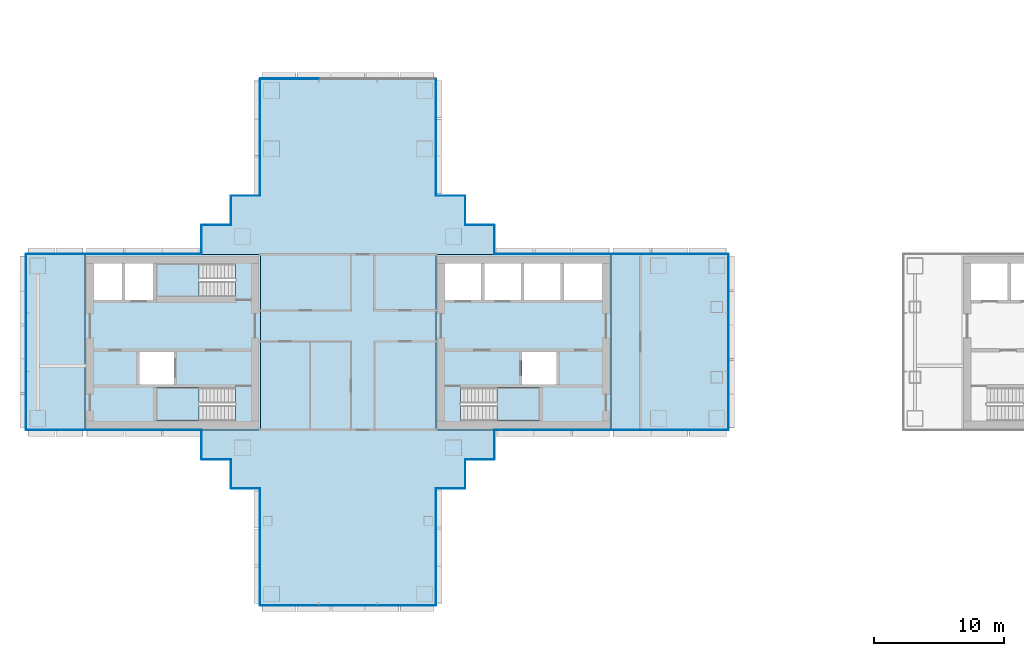
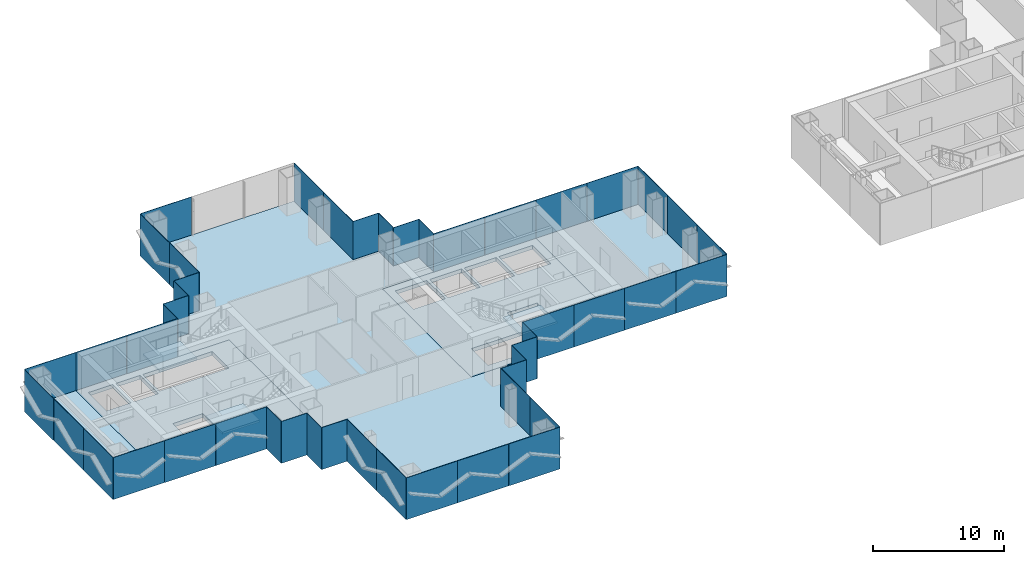
# One storey, part 9 of 18: 48 plates, 8 slabs, 23 elements without a shape of their own.
"""IFC4 building model written with IfcOpenShell, lengths in metres."""

from ifc_helpers import new_model, si_unit, direction, frame, origin, origin_2d, place, context, subcontext, project, spatial, polyline, rectangle, outline, extrude, material, layer, layer_set, type_object, element, aggregate, save


model = new_model("IFC4")

# Units and contexts
model_context = context("Model", 3, precision=1e-05, world=origin(), true_north=direction((0.0, 1.0)))
body_context = subcontext(model_context, "Body", "Model", "MODEL_VIEW")
ifc_project = project(units=[si_unit("LENGTHUNIT", "METRE"), si_unit("AREAUNIT", "SQUARE_METRE"), si_unit("VOLUMEUNIT", "CUBIC_METRE"), si_unit("PLANEANGLEUNIT", "RADIAN"), si_unit("MASSUNIT", "GRAM", prefix="KILO")], contexts=[model_context])

# Site, building, storey
site_placement = place(None, origin())
site = spatial("IfcSite", under=ifc_project, at=site_placement, CompositionType="ELEMENT")
building_placement = place(site_placement, origin())
building = spatial("IfcBuilding", under=site, at=building_placement, Name="Shamsa Quay Exchange Towers", CompositionType="ELEMENT")
storey_placement = place(building_placement, frame((0.0, 0.0, 117.0)))
storey = spatial("IfcBuildingStorey", under=building, at=storey_placement, Name="L27", CompositionType="ELEMENT", Elevation=117.0)

# Slabs
ifc_material_1 = material(Name="Concrete C50/60", Category="concrete")
ifc_layer_1 = layer(ifc_material_1, 0.35009765625)
ifc_layer_set_1 = layer_set([ifc_layer_1], Name="CORE FLOOR 350 C50/60")
slab_type_1 = type_object("IfcSlabType", Name="CORE FLOOR 350 C50/60", PredefinedType="FLOOR", material=ifc_layer_set_1)
slab_1_placement = place(storey_placement, frame((0.0, 0.0, -0.35009765625)))
element("IfcSlab", 1, at=slab_1_placement, inside=storey, type_object=slab_type_1, Name="Core floor T1A", PredefinedType="FLOOR", context=body_context, shape_type="SweptSolid", body=[
    extrude(outline(polyline([(-27.0, -6.75), (-13.5, -6.75), (-13.5, 6.75), (-27.0, 6.75), (-27.0, -6.75)]), holes=[polyline([(-25.099365234375, -6.050048828125), (-25.099365234375, -3.5), (-19.0, -3.5), (-19.0, -6.050048828125), (-25.099365234375, -6.050048828125)]), polyline([(-26.300048828125, 3.25), (-26.300048828125, 6.050048828125), (-23.5, 6.050048828125), (-23.5, 3.25), (-26.300048828125, 3.25)]), polyline([(-23.25, 3.25), (-23.25, 6.050048828125), (-20.449951171875, 6.050048828125), (-20.449951171875, 3.25), (-23.25, 3.25)]), polyline([(-20.199951171875, 3.25), (-20.199951171875, 6.050048828125), (-17.39990234375, 6.050048828125), (-17.39990234375, 3.25), (-20.199951171875, 3.25)]), polyline([(-17.14990234375, 3.25), (-17.14990234375, 6.050048828125), (-14.199951171875, 6.050048828125), (-14.199951171875, 3.25), (-17.14990234375, 3.25)]), polyline([(-20.35009765625, -3.25), (-20.35009765625, -0.75), (-17.699951171875, -0.75), (-17.699951171875, -3.25), (-20.35009765625, -3.25)])]), origin(), (0.0, 0.0, 1.0), 0.35009765625),
])
slab_2_placement = place(storey_placement, frame((0.0, 0.0, -0.35009765625)))
element("IfcSlab", 2, at=slab_2_placement, inside=storey, type_object=slab_type_1, Name="Core floor T1B", PredefinedType="FLOOR", context=body_context, shape_type="SweptSolid", body=[
    extrude(outline(polyline([(-40.5, -6.75), (-40.5, 6.75), (-54.0, 6.75), (-54.0, -6.75), (-40.5, -6.75)]), holes=[polyline([(-42.400634765625, -3.5), (-42.400634765625, -6.050048828125), (-48.5, -6.050048828125), (-48.5, -3.5), (-42.400634765625, -3.5)]), polyline([(-42.400634765625, 6.050048828125), (-42.400634765625, 3.5), (-48.5, 3.5), (-48.5, 6.050048828125), (-42.400634765625, 6.050048828125)]), polyline([(-48.75, 3.25), (-50.89990234375, 3.25), (-50.89990234375, 6.050048828125), (-48.75, 6.050048828125), (-48.75, 3.25)]), polyline([(-51.14990234375, 3.25), (-53.300048828125, 3.25), (-53.300048828125, 6.050048828125), (-51.14990234375, 6.050048828125), (-51.14990234375, 3.25)]), polyline([(-47.14990234375, -3.25), (-49.800048828125, -3.25), (-49.800048828125, -0.75), (-47.14990234375, -0.75), (-47.14990234375, -3.25)])]), origin(), (0.0, 0.0, 1.0), 0.35009765625),
])

# Stair, slab
ifc_material_2 = material(Name="Concrete C40/50", Category="concrete")
stair_type = type_object("IfcStairType", Name="EXIT STAIR 22 RISERS 177 MM", PredefinedType="HALF_TURN_STAIR", material=ifc_material_2)
stair_1_placement = place(storey_placement, origin())
stair_1 = element("IfcStair", 3, at=stair_1_placement, inside=storey, type_object=stair_type, Name="L27 Exit stair ST1", PredefinedType="HALF_TURN_STAIR")
ifc_layer_2 = layer(ifc_material_2, 0.199951171875)
ifc_layer_set_2 = layer_set([ifc_layer_2], Name="CORE STAIR LANDING")
slab_type_2 = type_object("IfcSlabType", Name="CORE STAIR LANDING", PredefinedType="LANDING", material=ifc_layer_set_2)
slab_3_placement = place(storey_placement, frame((0.0, 0.0, 1.75)))
slab_3 = element("IfcSlab", 4, at=slab_3_placement, type_object=slab_type_2, Name="ST1 landing 1", PredefinedType="LANDING", context=body_context, shape_type="SweptSolid", body=[
    extrude(outline(polyline([(-22.300048828125, -6.050048828125), (-19.0, -6.050048828125), (-19.0, -3.5), (-22.300048828125, -3.5), (-22.300048828125, -6.050048828125)])), origin(), (0.0, 0.0, 1.0), 0.199951171875),
])
aggregate(stair_1, [slab_3])

stair_2_placement = place(storey_placement, origin())
stair_2 = element("IfcStair", 5, at=stair_2_placement, inside=storey, type_object=stair_type, Name="L27 Exit stair ST2", PredefinedType="HALF_TURN_STAIR")
slab_4_placement = place(storey_placement, frame((0.0, 0.0, 1.75)))
slab_4 = element("IfcSlab", 6, at=slab_4_placement, type_object=slab_type_2, Name="ST2 landing 1", PredefinedType="LANDING", context=body_context, shape_type="SweptSolid", body=[
    extrude(outline(polyline([(-45.199951171875, -3.5), (-48.5, -3.5), (-48.5, -6.050048828125), (-45.199951171875, -6.050048828125), (-45.199951171875, -3.5)])), origin(), (0.0, 0.0, 1.0), 0.199951171875),
])
aggregate(stair_2, [slab_4])

stair_3_placement = place(storey_placement, origin())
stair_3 = element("IfcStair", 7, at=stair_3_placement, inside=storey, type_object=stair_type, Name="L27 Exit stair ST3", PredefinedType="HALF_TURN_STAIR")
slab_5_placement = place(storey_placement, frame((0.0, 0.0, 1.75)))
slab_5 = element("IfcSlab", 8, at=slab_5_placement, type_object=slab_type_2, Name="ST3 landing 1", PredefinedType="LANDING", context=body_context, shape_type="SweptSolid", body=[
    extrude(outline(polyline([(-45.199951171875, 6.050048828125), (-48.5, 6.050048828125), (-48.5, 3.5), (-45.199951171875, 3.5), (-45.199951171875, 6.050048828125)])), origin(), (0.0, 0.0, 1.0), 0.199951171875),
])
aggregate(stair_3, [slab_5])

# Curtain wall, plates
ifc_material_3 = material(Name="Aluminium EN AW-6063 T6, black anodised", Category="aluminium")
ifc_layer_3 = layer(ifc_material_3, 0.280029296875)
ifc_layer_set_3 = layer_set([ifc_layer_3], Name="CW-1 UNITISED VISION GLASS")
curtain_wall_type_1 = type_object("IfcCurtainWallType", Name="CW-1 UNITISED VISION GLASS", PredefinedType="NOTDEFINED", material=ifc_layer_set_3)
curtain_wall_1_placement = place(storey_placement, origin())
curtain_wall_1 = element("IfcCurtainWall", 9, at=curtain_wall_1_placement, inside=storey, type_object=curtain_wall_type_1, Name="CW1 T1-FLK-V-W L27", PredefinedType="NOTDEFINED")
ifc_material_4 = material(Name="Glass, laminated, dark tinted", Category="glass")
ifc_layer_4 = layer(ifc_material_4, 0.0400390625)
ifc_layer_set_4 = layer_set([ifc_layer_4], Name="CW-1 VISION GLASS 40")
plate_type_1 = type_object("IfcPlateType", Name="CW-1 VISION GLASS 40", PredefinedType="CURTAIN_PANEL", material=ifc_layer_set_4)
plate_1_placement = place(storey_placement, frame((-40.52001953125, -13.52587890625, -0.349853515625), z_axis=(0.0, 0.0, 1.0), x_axis=(0.0, -1.0, 0.0)))
plate_1 = element("IfcPlate", 10, at=plate_1_placement, type_object=plate_type_1, Name="CW1 glass panel", PredefinedType="CURTAIN_PANEL", context=body_context, shape_type="SweptSolid", body=[
    extrude(rectangle(XDim=4.47607421875, YDim=0.0400390625, at=origin_2d()), origin(), (0.0, 0.0, 1.0), 3.89990234375),
])
plate_2_placement = place(storey_placement, frame((-40.52001953125, -18.011962890625, -0.349853515625), z_axis=(0.0, 0.0, 1.0), x_axis=(0.0, -1.0, 0.0)))
plate_2 = element("IfcPlate", 11, at=plate_2_placement, type_object=plate_type_1, Name="CW1 glass panel", PredefinedType="CURTAIN_PANEL", context=body_context, shape_type="SweptSolid", body=[
    extrude(rectangle(XDim=4.47607421875, YDim=0.0400390625, at=origin_2d()), origin(), (0.0, 0.0, 1.0), 3.89990234375),
])
aggregate(curtain_wall_1, [plate_1, plate_2])

curtain_wall_2_placement = place(storey_placement, origin())
curtain_wall_2 = element("IfcCurtainWall", 12, at=curtain_wall_2_placement, inside=storey, type_object=curtain_wall_type_1, Name="CW1 T1-END-V- L27", PredefinedType="NOTDEFINED")
plate_3_placement = place(storey_placement, frame((-38.25244140625, -20.27001953125, -0.349853515625)))
plate_3 = element("IfcPlate", 13, at=plate_3_placement, type_object=plate_type_1, Name="CW1 glass panel", PredefinedType="CURTAIN_PANEL", context=body_context, shape_type="SweptSolid", body=[
    extrude(rectangle(XDim=4.4951171875, YDim=0.0400390625, at=origin_2d()), origin(), (0.0, 0.0, 1.0), 3.89990234375),
])
plate_4_placement = place(storey_placement, frame((-33.75, -20.27001953125, -0.349853515625)))
plate_4 = element("IfcPlate", 14, at=plate_4_placement, type_object=plate_type_1, Name="CW1 glass panel", PredefinedType="CURTAIN_PANEL", context=body_context, shape_type="SweptSolid", body=[
    extrude(rectangle(XDim=4.489990234375, YDim=0.0400390625, at=origin_2d()), origin(), (0.0, 0.0, 1.0), 3.89990234375),
])
plate_5_placement = place(storey_placement, frame((-29.24755859375, -20.27001953125, -0.349853515625)))
plate_5 = element("IfcPlate", 15, at=plate_5_placement, type_object=plate_type_1, Name="CW1 glass panel", PredefinedType="CURTAIN_PANEL", context=body_context, shape_type="SweptSolid", body=[
    extrude(rectangle(XDim=4.4951171875, YDim=0.0400390625, at=origin_2d()), origin(), (0.0, 0.0, 1.0), 3.89990234375),
])
aggregate(curtain_wall_2, [plate_3, plate_4, plate_5])

curtain_wall_3_placement = place(storey_placement, origin())
curtain_wall_3 = element("IfcCurtainWall", 16, at=curtain_wall_3_placement, inside=storey, type_object=curtain_wall_type_1, Name="CW1 T1-FLK-V-E L27", PredefinedType="NOTDEFINED")
plate_6_placement = place(storey_placement, frame((-26.97998046875, -18.00244140625, -0.349853515625), z_axis=(0.0, 0.0, 1.0), x_axis=(0.0, 1.0, 0.0)))
plate_6 = element("IfcPlate", 17, at=plate_6_placement, type_object=plate_type_1, Name="CW1 glass panel", PredefinedType="CURTAIN_PANEL", context=body_context, shape_type="SweptSolid", body=[
    extrude(rectangle(XDim=4.4951171875, YDim=0.0400390625, at=origin_2d()), origin(), (0.0, 0.0, 1.0), 3.89990234375),
])
plate_7_placement = place(storey_placement, frame((-26.97998046875, -13.49755859375, -0.349853515625), z_axis=(0.0, 0.0, 1.0), x_axis=(0.0, 1.0, 0.0)))
plate_7 = element("IfcPlate", 18, at=plate_7_placement, type_object=plate_type_1, Name="CW1 glass panel", PredefinedType="CURTAIN_PANEL", context=body_context, shape_type="SweptSolid", body=[
    extrude(rectangle(XDim=4.4951171875, YDim=0.0400390625, at=origin_2d()), origin(), (0.0, 0.0, 1.0), 3.89990234375),
])
aggregate(curtain_wall_3, [plate_6, plate_7])

curtain_wall_4_placement = place(storey_placement, origin())
curtain_wall_4 = element("IfcCurtainWall", 19, at=curtain_wall_4_placement, inside=storey, type_object=curtain_wall_type_1, Name="CW1 T1-FLK-U+S L27", PredefinedType="NOTDEFINED")
plate_8_placement = place(storey_placement, frame((-11.25244140625, -6.77001953125, -0.349853515625)))
plate_8 = element("IfcPlate", 20, at=plate_8_placement, type_object=plate_type_1, Name="CW1 glass panel", PredefinedType="CURTAIN_PANEL", context=body_context, shape_type="SweptSolid", body=[
    extrude(rectangle(XDim=4.4951171875, YDim=0.0400390625, at=origin_2d()), origin(), (0.0, 0.0, 1.0), 3.89990234375),
])
plate_9_placement = place(storey_placement, frame((-6.74755859375, -6.77001953125, -0.349853515625)))
plate_9 = element("IfcPlate", 21, at=plate_9_placement, type_object=plate_type_1, Name="CW1 glass panel", PredefinedType="CURTAIN_PANEL", context=body_context, shape_type="SweptSolid", body=[
    extrude(rectangle(XDim=4.4951171875, YDim=0.0400390625, at=origin_2d()), origin(), (0.0, 0.0, 1.0), 3.89990234375),
])
aggregate(curtain_wall_4, [plate_8, plate_9])

curtain_wall_5_placement = place(storey_placement, origin())
curtain_wall_5 = element("IfcCurtainWall", 22, at=curtain_wall_5_placement, inside=storey, type_object=curtain_wall_type_1, Name="CW1 T1-END-U+ L27", PredefinedType="NOTDEFINED")
plate_10_placement = place(storey_placement, frame((-4.47998046875, -4.50244140625, -0.349853515625), z_axis=(0.0, 0.0, 1.0), x_axis=(0.0, 1.0, 0.0)))
plate_10 = element("IfcPlate", 23, at=plate_10_placement, type_object=plate_type_1, Name="CW1 glass panel", PredefinedType="CURTAIN_PANEL", context=body_context, shape_type="SweptSolid", body=[
    extrude(rectangle(XDim=4.4951171875, YDim=0.0400390625, at=origin_2d()), origin(), (0.0, 0.0, 1.0), 3.89990234375),
])
plate_11_placement = place(storey_placement, frame((-4.47998046875, 0.0, -0.349853515625), z_axis=(0.0, 0.0, 1.0), x_axis=(0.0, 1.0, 0.0)))
plate_11 = element("IfcPlate", 24, at=plate_11_placement, type_object=plate_type_1, Name="CW1 glass panel", PredefinedType="CURTAIN_PANEL", context=body_context, shape_type="SweptSolid", body=[
    extrude(rectangle(XDim=4.489990234375, YDim=0.0400390625, at=origin_2d()), origin(), (0.0, 0.0, 1.0), 3.89990234375),
])
plate_12_placement = place(storey_placement, frame((-4.47998046875, 4.50244140625, -0.349853515625), z_axis=(0.0, 0.0, 1.0), x_axis=(0.0, 1.0, 0.0)))
plate_12 = element("IfcPlate", 25, at=plate_12_placement, type_object=plate_type_1, Name="CW1 glass panel", PredefinedType="CURTAIN_PANEL", context=body_context, shape_type="SweptSolid", body=[
    extrude(rectangle(XDim=4.4951171875, YDim=0.0400390625, at=origin_2d()), origin(), (0.0, 0.0, 1.0), 3.89990234375),
])
aggregate(curtain_wall_5, [plate_10, plate_11, plate_12])

curtain_wall_6_placement = place(storey_placement, origin())
curtain_wall_6 = element("IfcCurtainWall", 26, at=curtain_wall_6_placement, inside=storey, type_object=curtain_wall_type_1, Name="CW1 T1-FLK-U+N L27", PredefinedType="NOTDEFINED")
plate_13_placement = place(storey_placement, frame((-6.74755859375, 6.77001953125, -0.349853515625), z_axis=(0.0, 0.0, 1.0), x_axis=(-1.0, 0.0, 0.0)))
plate_13 = element("IfcPlate", 27, at=plate_13_placement, type_object=plate_type_1, Name="CW1 glass panel", PredefinedType="CURTAIN_PANEL", context=body_context, shape_type="SweptSolid", body=[
    extrude(rectangle(XDim=4.4951171875, YDim=0.0400390625, at=origin_2d()), origin(), (0.0, 0.0, 1.0), 3.89990234375),
])
plate_14_placement = place(storey_placement, frame((-11.25244140625, 6.77001953125, -0.349853515625), z_axis=(0.0, 0.0, 1.0), x_axis=(-1.0, 0.0, 0.0)))
plate_14 = element("IfcPlate", 28, at=plate_14_placement, type_object=plate_type_1, Name="CW1 glass panel", PredefinedType="CURTAIN_PANEL", context=body_context, shape_type="SweptSolid", body=[
    extrude(rectangle(XDim=4.4951171875, YDim=0.0400390625, at=origin_2d()), origin(), (0.0, 0.0, 1.0), 3.89990234375),
])
aggregate(curtain_wall_6, [plate_13, plate_14])

curtain_wall_7_placement = place(storey_placement, origin())
curtain_wall_7 = element("IfcCurtainWall", 29, at=curtain_wall_7_placement, inside=storey, type_object=curtain_wall_type_1, Name="CW1 T1-FLK-V+E L27", PredefinedType="NOTDEFINED")
plate_15_placement = place(storey_placement, frame((-26.97998046875, 13.52587890625, -0.349853515625), z_axis=(0.0, 0.0, 1.0), x_axis=(0.0, 1.0, 0.0)))
plate_15 = element("IfcPlate", 30, at=plate_15_placement, type_object=plate_type_1, Name="CW1 glass panel", PredefinedType="CURTAIN_PANEL", context=body_context, shape_type="SweptSolid", body=[
    extrude(rectangle(XDim=4.47607421875, YDim=0.0400390625, at=origin_2d()), origin(), (0.0, 0.0, 1.0), 3.89990234375),
])
plate_16_placement = place(storey_placement, frame((-26.97998046875, 18.011962890625, -0.349853515625), z_axis=(0.0, 0.0, 1.0), x_axis=(0.0, 1.0, 0.0)))
plate_16 = element("IfcPlate", 31, at=plate_16_placement, type_object=plate_type_1, Name="CW1 glass panel", PredefinedType="CURTAIN_PANEL", context=body_context, shape_type="SweptSolid", body=[
    extrude(rectangle(XDim=4.47607421875, YDim=0.0400390625, at=origin_2d()), origin(), (0.0, 0.0, 1.0), 3.89990234375),
])
aggregate(curtain_wall_7, [plate_15, plate_16])

# Curtain wall, plate
curtain_wall_8_placement = place(storey_placement, origin())
curtain_wall_8 = element("IfcCurtainWall", 32, at=curtain_wall_8_placement, inside=storey, type_object=curtain_wall_type_1, Name="CW1 T1-END-V+ L27", PredefinedType="NOTDEFINED")
plate_17_placement = place(storey_placement, frame((-38.25244140625, 20.27001953125, -0.349853515625), z_axis=(0.0, 0.0, 1.0), x_axis=(-1.0, 0.0, 0.0)))
plate_17 = element("IfcPlate", 33, at=plate_17_placement, type_object=plate_type_1, Name="CW1 glass panel", PredefinedType="CURTAIN_PANEL", context=body_context, shape_type="SweptSolid", body=[
    extrude(rectangle(XDim=4.4951171875, YDim=0.0400390625, at=origin_2d()), origin(), (0.0, 0.0, 1.0), 3.89990234375),
])
aggregate(curtain_wall_8, [plate_17])

# Curtain wall, plates
curtain_wall_9_placement = place(storey_placement, origin())
curtain_wall_9 = element("IfcCurtainWall", 34, at=curtain_wall_9_placement, inside=storey, type_object=curtain_wall_type_1, Name="CW1 T1-FLK-V+W L27", PredefinedType="NOTDEFINED")
plate_18_placement = place(storey_placement, frame((-40.52001953125, 18.00244140625, -0.349853515625), z_axis=(0.0, 0.0, 1.0), x_axis=(0.0, -1.0, 0.0)))
plate_18 = element("IfcPlate", 35, at=plate_18_placement, type_object=plate_type_1, Name="CW1 glass panel", PredefinedType="CURTAIN_PANEL", context=body_context, shape_type="SweptSolid", body=[
    extrude(rectangle(XDim=4.4951171875, YDim=0.0400390625, at=origin_2d()), origin(), (0.0, 0.0, 1.0), 3.89990234375),
])
plate_19_placement = place(storey_placement, frame((-40.52001953125, 13.49755859375, -0.349853515625), z_axis=(0.0, 0.0, 1.0), x_axis=(0.0, -1.0, 0.0)))
plate_19 = element("IfcPlate", 36, at=plate_19_placement, type_object=plate_type_1, Name="CW1 glass panel", PredefinedType="CURTAIN_PANEL", context=body_context, shape_type="SweptSolid", body=[
    extrude(rectangle(XDim=4.4951171875, YDim=0.0400390625, at=origin_2d()), origin(), (0.0, 0.0, 1.0), 3.89990234375),
])
aggregate(curtain_wall_9, [plate_18, plate_19])

# Curtain wall, plate
curtain_wall_10_placement = place(storey_placement, origin())
curtain_wall_10 = element("IfcCurtainWall", 37, at=curtain_wall_10_placement, inside=storey, type_object=curtain_wall_type_1, Name="CW1 T1-FLK-U-N L27", PredefinedType="NOTDEFINED")
plate_20_placement = place(storey_placement, frame((-56.25, 6.77001953125, -0.349853515625), z_axis=(0.0, 0.0, 1.0), x_axis=(-1.0, 0.0, 0.0)))
plate_20 = element("IfcPlate", 38, at=plate_20_placement, type_object=plate_type_1, Name="CW1 glass panel", PredefinedType="CURTAIN_PANEL", context=body_context, shape_type="SweptSolid", body=[
    extrude(rectangle(XDim=4.5, YDim=0.0400390625, at=origin_2d()), origin(), (0.0, 0.0, 1.0), 3.89990234375),
])
aggregate(curtain_wall_10, [plate_20])

# Curtain wall, plates
curtain_wall_11_placement = place(storey_placement, origin())
curtain_wall_11 = element("IfcCurtainWall", 39, at=curtain_wall_11_placement, inside=storey, type_object=curtain_wall_type_1, Name="CW1 T1-END-U- L27", PredefinedType="NOTDEFINED")
plate_21_placement = place(storey_placement, frame((-58.52001953125, 4.50244140625, -0.349853515625), z_axis=(0.0, 0.0, 1.0), x_axis=(0.0, -1.0, 0.0)))
plate_21 = element("IfcPlate", 40, at=plate_21_placement, type_object=plate_type_1, Name="CW1 glass panel", PredefinedType="CURTAIN_PANEL", context=body_context, shape_type="SweptSolid", body=[
    extrude(rectangle(XDim=4.4951171875, YDim=0.0400390625, at=origin_2d()), origin(), (0.0, 0.0, 1.0), 3.89990234375),
])
plate_22_placement = place(storey_placement, frame((-58.52001953125, 0.0, -0.349853515625), z_axis=(0.0, 0.0, 1.0), x_axis=(0.0, -1.0, 0.0)))
plate_22 = element("IfcPlate", 41, at=plate_22_placement, type_object=plate_type_1, Name="CW1 glass panel", PredefinedType="CURTAIN_PANEL", context=body_context, shape_type="SweptSolid", body=[
    extrude(rectangle(XDim=4.489990234375, YDim=0.0400390625, at=origin_2d()), origin(), (0.0, 0.0, 1.0), 3.89990234375),
])
plate_23_placement = place(storey_placement, frame((-58.52001953125, -4.50244140625, -0.349853515625), z_axis=(0.0, 0.0, 1.0), x_axis=(0.0, -1.0, 0.0)))
plate_23 = element("IfcPlate", 42, at=plate_23_placement, type_object=plate_type_1, Name="CW1 glass panel", PredefinedType="CURTAIN_PANEL", context=body_context, shape_type="SweptSolid", body=[
    extrude(rectangle(XDim=4.4951171875, YDim=0.0400390625, at=origin_2d()), origin(), (0.0, 0.0, 1.0), 3.89990234375),
])
aggregate(curtain_wall_11, [plate_21, plate_22, plate_23])

# Curtain wall, plate
curtain_wall_12_placement = place(storey_placement, origin())
curtain_wall_12 = element("IfcCurtainWall", 43, at=curtain_wall_12_placement, inside=storey, type_object=curtain_wall_type_1, Name="CW1 T1-FLK-U-S L27", PredefinedType="NOTDEFINED")
plate_24_placement = place(storey_placement, frame((-56.25, -6.77001953125, -0.349853515625)))
plate_24 = element("IfcPlate", 44, at=plate_24_placement, type_object=plate_type_1, Name="CW1 glass panel", PredefinedType="CURTAIN_PANEL", context=body_context, shape_type="SweptSolid", body=[
    extrude(rectangle(XDim=4.5, YDim=0.0400390625, at=origin_2d()), origin(), (0.0, 0.0, 1.0), 3.89990234375),
])
aggregate(curtain_wall_12, [plate_24])

# Curtain wall, plates
ifc_layer_5 = layer(ifc_material_3, 0.303955078125)
ifc_layer_set_5 = layer_set([ifc_layer_5], Name="CW-2 UNITISED OPAQUE SPANDREL GLASS")
curtain_wall_type_2 = type_object("IfcCurtainWallType", Name="CW-2 UNITISED OPAQUE SPANDREL GLASS", PredefinedType="NOTDEFINED", material=ifc_layer_set_5)
curtain_wall_13_placement = place(storey_placement, origin())
curtain_wall_13 = element("IfcCurtainWall", 45, at=curtain_wall_13_placement, inside=storey, type_object=curtain_wall_type_2, Name="CW2 T1-FLK-U+S L27", PredefinedType="NOTDEFINED")
ifc_material_5 = material(Name="Glass, laminated, black enamelled opaque", Category="glass")
ifc_layer_6 = layer(ifc_material_5, 0.0439453125)
ifc_layer_set_6 = layer_set([ifc_layer_6], Name="CW-2 SPANDREL GLASS 44")
plate_type_2 = type_object("IfcPlateType", Name="CW-2 SPANDREL GLASS 44", PredefinedType="CURTAIN_PANEL", material=ifc_layer_set_6)
plate_25_placement = place(storey_placement, frame((-20.22412109375, -6.77197265625, -0.349853515625)))
plate_25 = element("IfcPlate", 46, at=plate_25_placement, type_object=plate_type_2, Name="CW2 glass panel", PredefinedType="CURTAIN_PANEL", context=body_context, shape_type="SweptSolid", body=[
    extrude(rectangle(XDim=4.47607421875, YDim=0.0439453125, at=origin_2d()), origin(), (0.0, 0.0, 1.0), 3.89990234375),
])
plate_26_placement = place(storey_placement, frame((-15.738037109375, -6.77197265625, -0.349853515625)))
plate_26 = element("IfcPlate", 47, at=plate_26_placement, type_object=plate_type_2, Name="CW2 glass panel", PredefinedType="CURTAIN_PANEL", context=body_context, shape_type="SweptSolid", body=[
    extrude(rectangle(XDim=4.47607421875, YDim=0.0439453125, at=origin_2d()), origin(), (0.0, 0.0, 1.0), 3.89990234375),
])
aggregate(curtain_wall_13, [plate_25, plate_26])

curtain_wall_14_placement = place(storey_placement, origin())
curtain_wall_14 = element("IfcCurtainWall", 48, at=curtain_wall_14_placement, inside=storey, type_object=curtain_wall_type_2, Name="CW2 T1-FLK-U+N L27", PredefinedType="NOTDEFINED")
plate_27_placement = place(storey_placement, frame((-15.74755859375, 6.77197265625, -0.349853515625), z_axis=(0.0, 0.0, 1.0), x_axis=(-1.0, 0.0, 0.0)))
plate_27 = element("IfcPlate", 49, at=plate_27_placement, type_object=plate_type_2, Name="CW2 glass panel", PredefinedType="CURTAIN_PANEL", context=body_context, shape_type="SweptSolid", body=[
    extrude(rectangle(XDim=4.4951171875, YDim=0.0439453125, at=origin_2d()), origin(), (0.0, 0.0, 1.0), 3.89990234375),
])
plate_28_placement = place(storey_placement, frame((-20.25244140625, 6.77197265625, -0.349853515625), z_axis=(0.0, 0.0, 1.0), x_axis=(-1.0, 0.0, 0.0)))
plate_28 = element("IfcPlate", 50, at=plate_28_placement, type_object=plate_type_2, Name="CW2 glass panel", PredefinedType="CURTAIN_PANEL", context=body_context, shape_type="SweptSolid", body=[
    extrude(rectangle(XDim=4.4951171875, YDim=0.0439453125, at=origin_2d()), origin(), (0.0, 0.0, 1.0), 3.89990234375),
])
aggregate(curtain_wall_14, [plate_27, plate_28])

curtain_wall_15_placement = place(storey_placement, origin())
curtain_wall_15 = element("IfcCurtainWall", 51, at=curtain_wall_15_placement, inside=storey, type_object=curtain_wall_type_2, Name="CW2 T1-FLK-U-N L27", PredefinedType="NOTDEFINED")
plate_29_placement = place(storey_placement, frame((-47.27587890625, 6.77197265625, -0.349853515625), z_axis=(0.0, 0.0, 1.0), x_axis=(-1.0, 0.0, 0.0)))
plate_29 = element("IfcPlate", 52, at=plate_29_placement, type_object=plate_type_2, Name="CW2 glass panel", PredefinedType="CURTAIN_PANEL", context=body_context, shape_type="SweptSolid", body=[
    extrude(rectangle(XDim=4.47607421875, YDim=0.0439453125, at=origin_2d()), origin(), (0.0, 0.0, 1.0), 3.89990234375),
])
plate_30_placement = place(storey_placement, frame((-51.761962890625, 6.77197265625, -0.349853515625), z_axis=(0.0, 0.0, 1.0), x_axis=(-1.0, 0.0, 0.0)))
plate_30 = element("IfcPlate", 53, at=plate_30_placement, type_object=plate_type_2, Name="CW2 glass panel", PredefinedType="CURTAIN_PANEL", context=body_context, shape_type="SweptSolid", body=[
    extrude(rectangle(XDim=4.47607421875, YDim=0.0439453125, at=origin_2d()), origin(), (0.0, 0.0, 1.0), 3.89990234375),
])
aggregate(curtain_wall_15, [plate_29, plate_30])

curtain_wall_16_placement = place(storey_placement, origin())
curtain_wall_16 = element("IfcCurtainWall", 54, at=curtain_wall_16_placement, inside=storey, type_object=curtain_wall_type_2, Name="CW2 T1-FLK-U-S L27", PredefinedType="NOTDEFINED")
plate_31_placement = place(storey_placement, frame((-51.75244140625, -6.77197265625, -0.349853515625)))
plate_31 = element("IfcPlate", 55, at=plate_31_placement, type_object=plate_type_2, Name="CW2 glass panel", PredefinedType="CURTAIN_PANEL", context=body_context, shape_type="SweptSolid", body=[
    extrude(rectangle(XDim=4.4951171875, YDim=0.0439453125, at=origin_2d()), origin(), (0.0, 0.0, 1.0), 3.89990234375),
])
plate_32_placement = place(storey_placement, frame((-47.24755859375, -6.77197265625, -0.349853515625)))
plate_32 = element("IfcPlate", 56, at=plate_32_placement, type_object=plate_type_2, Name="CW2 glass panel", PredefinedType="CURTAIN_PANEL", context=body_context, shape_type="SweptSolid", body=[
    extrude(rectangle(XDim=4.4951171875, YDim=0.0439453125, at=origin_2d()), origin(), (0.0, 0.0, 1.0), 3.89990234375),
])
aggregate(curtain_wall_16, [plate_31, plate_32])

ifc_layer_7 = layer(ifc_material_3, 0.256103515625)
ifc_layer_set_7 = layer_set([ifc_layer_7], Name="CW-4 POCKET SERRATED GLAZING")
curtain_wall_type_3 = type_object("IfcCurtainWallType", Name="CW-4 POCKET SERRATED GLAZING", PredefinedType="NOTDEFINED", material=ifc_layer_set_7)
curtain_wall_17_placement = place(storey_placement, origin())
curtain_wall_17 = element("IfcCurtainWall", 57, at=curtain_wall_17_placement, inside=storey, type_object=curtain_wall_type_3, Name="CW4 PKWS L27", PredefinedType="NOTDEFINED")
ifc_layer_8 = layer(ifc_material_4, 0.035888671875)
ifc_layer_set_8 = layer_set([ifc_layer_8], Name="CW-4 POCKET GLASS 36")
plate_type_3 = type_object("IfcPlateType", Name="CW-4 POCKET GLASS 36", PredefinedType="CURTAIN_PANEL", material=ifc_layer_set_8)
plate_33_placement = place(storey_placement, frame((-42.76806640625, -10.14404296875, -0.349853515625), z_axis=(0.0, 0.0, 1.0), x_axis=(0.0, -1.0, 0.0)))
plate_33 = element("IfcPlate", 58, at=plate_33_placement, type_object=plate_type_3, Name="CW4 glass panel", PredefinedType="CURTAIN_PANEL", context=body_context, shape_type="SweptSolid", body=[
    extrude(rectangle(XDim=2.2119140625, YDim=0.035888671875, at=origin_2d()), origin(), (0.0, 0.0, 1.0), 3.89990234375),
])
plate_34_placement = place(storey_placement, frame((-41.625, -11.26806640625, -0.349853515625)))
plate_34 = element("IfcPlate", 59, at=plate_34_placement, type_object=plate_type_3, Name="CW4 glass panel", PredefinedType="CURTAIN_PANEL", context=body_context, shape_type="SweptSolid", body=[
    extrude(rectangle(XDim=2.25, YDim=0.035888671875, at=origin_2d()), origin(), (0.0, 0.0, 1.0), 3.89990234375),
])
plate_35_placement = place(storey_placement, frame((-45.01806640625, -7.89794921875, -0.349853515625), z_axis=(0.0, 0.0, 1.0), x_axis=(0.0, -1.0, 0.0)))
plate_35 = element("IfcPlate", 60, at=plate_35_placement, type_object=plate_type_3, Name="CW4 glass panel", PredefinedType="CURTAIN_PANEL", context=body_context, shape_type="SweptSolid", body=[
    extrude(rectangle(XDim=2.2041015625, YDim=0.035888671875, at=origin_2d()), origin(), (0.0, 0.0, 1.0), 3.89990234375),
])
plate_36_placement = place(storey_placement, frame((-43.875, -9.01806640625, -0.349853515625)))
plate_36 = element("IfcPlate", 61, at=plate_36_placement, type_object=plate_type_3, Name="CW4 glass panel", PredefinedType="CURTAIN_PANEL", context=body_context, shape_type="SweptSolid", body=[
    extrude(rectangle(XDim=2.25, YDim=0.035888671875, at=origin_2d()), origin(), (0.0, 0.0, 1.0), 3.89990234375),
])
aggregate(curtain_wall_17, [plate_33, plate_34, plate_35, plate_36])

curtain_wall_18_placement = place(storey_placement, origin())
curtain_wall_18 = element("IfcCurtainWall", 62, at=curtain_wall_18_placement, inside=storey, type_object=curtain_wall_type_3, Name="CW4 PKES L27", PredefinedType="NOTDEFINED")
plate_37_placement = place(storey_placement, frame((-25.85400390625, -11.26806640625, -0.349853515625)))
plate_37 = element("IfcPlate", 63, at=plate_37_placement, type_object=plate_type_3, Name="CW4 glass panel", PredefinedType="CURTAIN_PANEL", context=body_context, shape_type="SweptSolid", body=[
    extrude(rectangle(XDim=2.2080078125, YDim=0.035888671875, at=origin_2d()), origin(), (0.0, 0.0, 1.0), 3.89990234375),
])
plate_38_placement = place(storey_placement, frame((-24.73193359375, -10.125, -0.349853515625), z_axis=(0.0, 0.0, 1.0), x_axis=(0.0, 1.0, 0.0)))
plate_38 = element("IfcPlate", 64, at=plate_38_placement, type_object=plate_type_3, Name="CW4 glass panel", PredefinedType="CURTAIN_PANEL", context=body_context, shape_type="SweptSolid", body=[
    extrude(rectangle(XDim=2.25, YDim=0.035888671875, at=origin_2d()), origin(), (0.0, 0.0, 1.0), 3.89990234375),
])
plate_39_placement = place(storey_placement, frame((-23.60595703125, -9.01806640625, -0.349853515625)))
plate_39 = element("IfcPlate", 65, at=plate_39_placement, type_object=plate_type_3, Name="CW4 glass panel", PredefinedType="CURTAIN_PANEL", context=body_context, shape_type="SweptSolid", body=[
    extrude(rectangle(XDim=2.2119140625, YDim=0.035888671875, at=origin_2d()), origin(), (0.0, 0.0, 1.0), 3.89990234375),
])
plate_40_placement = place(storey_placement, frame((-22.48193359375, -7.875, -0.349853515625), z_axis=(0.0, 0.0, 1.0), x_axis=(0.0, 1.0, 0.0)))
plate_40 = element("IfcPlate", 66, at=plate_40_placement, type_object=plate_type_3, Name="CW4 glass panel", PredefinedType="CURTAIN_PANEL", context=body_context, shape_type="SweptSolid", body=[
    extrude(rectangle(XDim=2.25, YDim=0.035888671875, at=origin_2d()), origin(), (0.0, 0.0, 1.0), 3.89990234375),
])
aggregate(curtain_wall_18, [plate_37, plate_38, plate_39, plate_40])

curtain_wall_19_placement = place(storey_placement, origin())
curtain_wall_19 = element("IfcCurtainWall", 67, at=curtain_wall_19_placement, inside=storey, type_object=curtain_wall_type_3, Name="CW4 PKEN L27", PredefinedType="NOTDEFINED")
plate_41_placement = place(storey_placement, frame((-22.48193359375, 7.89794921875, -0.349853515625), z_axis=(0.0, 0.0, 1.0), x_axis=(0.0, 1.0, 0.0)))
plate_41 = element("IfcPlate", 68, at=plate_41_placement, type_object=plate_type_3, Name="CW4 glass panel", PredefinedType="CURTAIN_PANEL", context=body_context, shape_type="SweptSolid", body=[
    extrude(rectangle(XDim=2.2041015625, YDim=0.035888671875, at=origin_2d()), origin(), (0.0, 0.0, 1.0), 3.89990234375),
])
plate_42_placement = place(storey_placement, frame((-23.625, 9.01806640625, -0.349853515625), z_axis=(0.0, 0.0, 1.0), x_axis=(-1.0, 0.0, 0.0)))
plate_42 = element("IfcPlate", 69, at=plate_42_placement, type_object=plate_type_3, Name="CW4 glass panel", PredefinedType="CURTAIN_PANEL", context=body_context, shape_type="SweptSolid", body=[
    extrude(rectangle(XDim=2.25, YDim=0.035888671875, at=origin_2d()), origin(), (0.0, 0.0, 1.0), 3.89990234375),
])
plate_43_placement = place(storey_placement, frame((-24.73193359375, 10.14404296875, -0.349853515625), z_axis=(0.0, 0.0, 1.0), x_axis=(0.0, 1.0, 0.0)))
plate_43 = element("IfcPlate", 70, at=plate_43_placement, type_object=plate_type_3, Name="CW4 glass panel", PredefinedType="CURTAIN_PANEL", context=body_context, shape_type="SweptSolid", body=[
    extrude(rectangle(XDim=2.2119140625, YDim=0.035888671875, at=origin_2d()), origin(), (0.0, 0.0, 1.0), 3.89990234375),
])
plate_44_placement = place(storey_placement, frame((-25.875, 11.26806640625, -0.349853515625), z_axis=(0.0, 0.0, 1.0), x_axis=(-1.0, 0.0, 0.0)))
plate_44 = element("IfcPlate", 71, at=plate_44_placement, type_object=plate_type_3, Name="CW4 glass panel", PredefinedType="CURTAIN_PANEL", context=body_context, shape_type="SweptSolid", body=[
    extrude(rectangle(XDim=2.25, YDim=0.035888671875, at=origin_2d()), origin(), (0.0, 0.0, 1.0), 3.89990234375),
])
aggregate(curtain_wall_19, [plate_41, plate_42, plate_43, plate_44])

curtain_wall_20_placement = place(storey_placement, origin())
curtain_wall_20 = element("IfcCurtainWall", 72, at=curtain_wall_20_placement, inside=storey, type_object=curtain_wall_type_3, Name="CW4 PKWN L27", PredefinedType="NOTDEFINED")
plate_45_placement = place(storey_placement, frame((-41.64599609375, 11.26806640625, -0.349853515625), z_axis=(0.0, 0.0, 1.0), x_axis=(-1.0, 0.0, 0.0)))
plate_45 = element("IfcPlate", 73, at=plate_45_placement, type_object=plate_type_3, Name="CW4 glass panel", PredefinedType="CURTAIN_PANEL", context=body_context, shape_type="SweptSolid", body=[
    extrude(rectangle(XDim=2.2080078125, YDim=0.035888671875, at=origin_2d()), origin(), (0.0, 0.0, 1.0), 3.89990234375),
])
plate_46_placement = place(storey_placement, frame((-42.76806640625, 10.125, -0.349853515625), z_axis=(0.0, 0.0, 1.0), x_axis=(0.0, -1.0, 0.0)))
plate_46 = element("IfcPlate", 74, at=plate_46_placement, type_object=plate_type_3, Name="CW4 glass panel", PredefinedType="CURTAIN_PANEL", context=body_context, shape_type="SweptSolid", body=[
    extrude(rectangle(XDim=2.25, YDim=0.035888671875, at=origin_2d()), origin(), (0.0, 0.0, 1.0), 3.89990234375),
])
plate_47_placement = place(storey_placement, frame((-43.89404296875, 9.01806640625, -0.349853515625), z_axis=(0.0, 0.0, 1.0), x_axis=(-1.0, 0.0, 0.0)))
plate_47 = element("IfcPlate", 75, at=plate_47_placement, type_object=plate_type_3, Name="CW4 glass panel", PredefinedType="CURTAIN_PANEL", context=body_context, shape_type="SweptSolid", body=[
    extrude(rectangle(XDim=2.2119140625, YDim=0.035888671875, at=origin_2d()), origin(), (0.0, 0.0, 1.0), 3.89990234375),
])
plate_48_placement = place(storey_placement, frame((-45.01806640625, 7.875, -0.349853515625), z_axis=(0.0, 0.0, 1.0), x_axis=(0.0, -1.0, 0.0)))
plate_48 = element("IfcPlate", 76, at=plate_48_placement, type_object=plate_type_3, Name="CW4 glass panel", PredefinedType="CURTAIN_PANEL", context=body_context, shape_type="SweptSolid", body=[
    extrude(rectangle(XDim=2.25, YDim=0.035888671875, at=origin_2d()), origin(), (0.0, 0.0, 1.0), 3.89990234375),
])
aggregate(curtain_wall_20, [plate_45, plate_46, plate_47, plate_48])

# Slabs
ifc_layer_9 = layer(ifc_material_2, 0.35009765625)
ifc_layer_set_9 = layer_set([ifc_layer_9], Name="Flat slab 350")
slab_type_3 = type_object("IfcSlabType", Name="Flat slab 350", PredefinedType="FLOOR", material=ifc_layer_set_9)
slab_6_placement = place(storey_placement, frame((0.0, 0.0, -0.35009765625)))
element("IfcSlab", 77, at=slab_6_placement, inside=storey, type_object=slab_type_3, Name="Flat slab T1 L27 1", PredefinedType="FLOOR", context=body_context, shape_type="SweptSolid", body=[
    extrude(outline(polyline([(-58.5, -6.75), (-54.0, -6.75), (-54.0, 6.75), (-58.5, 6.75), (-58.5, -6.75)])), origin(), (0.0, 0.0, 1.0), 0.35009765625),
])
slab_7_placement = place(storey_placement, frame((0.0, 0.0, -0.35009765625)))
element("IfcSlab", 78, at=slab_7_placement, inside=storey, type_object=slab_type_3, Name="Flat slab T1 L27 2", PredefinedType="FLOOR", context=body_context, shape_type="SweptSolid", body=[
    extrude(outline(polyline([(-22.5, -9.0), (-22.5, -6.75), (-27.0, -6.75), (-27.0, 6.75), (-22.5, 6.75), (-22.5, 9.0), (-24.75, 9.0), (-24.75, 11.25), (-27.0, 11.25), (-27.0, 20.25), (-40.5, 20.25), (-40.5, 11.25), (-42.75, 11.25), (-42.75, 9.0), (-45.0, 9.0), (-45.0, 6.75), (-40.5, 6.75), (-40.5, -6.75), (-45.0, -6.75), (-45.0, -9.0), (-42.75, -9.0), (-42.75, -11.25), (-40.5, -11.25), (-40.5, -20.25), (-27.0, -20.25), (-27.0, -11.25), (-24.75, -11.25), (-24.75, -9.0), (-22.5, -9.0)])), origin(), (0.0, 0.0, 1.0), 0.35009765625),
])
slab_8_placement = place(storey_placement, frame((0.0, 0.0, -0.35009765625)))
element("IfcSlab", 79, at=slab_8_placement, inside=storey, type_object=slab_type_3, Name="Flat slab T1 L27 3", PredefinedType="FLOOR", context=body_context, shape_type="SweptSolid", body=[
    extrude(outline(polyline([(-4.5, 6.75), (-13.5, 6.75), (-13.5, -6.75), (-4.5, -6.75), (-4.5, 6.75)])), origin(), (0.0, 0.0, 1.0), 0.35009765625),
])

save(model, "model.ifc")
